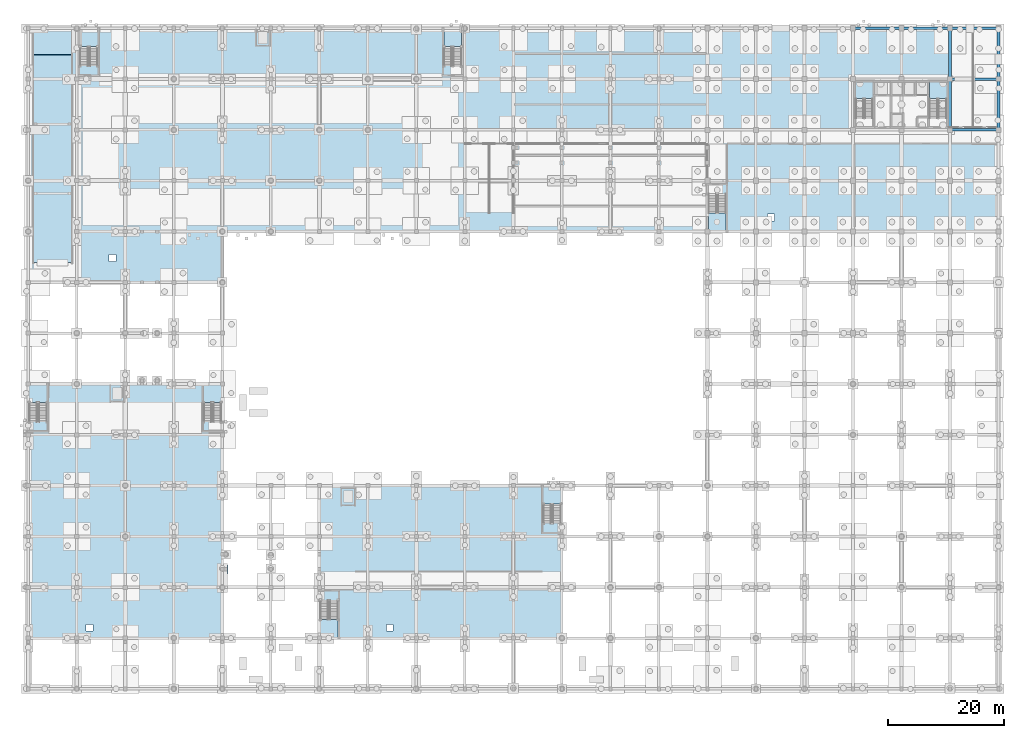
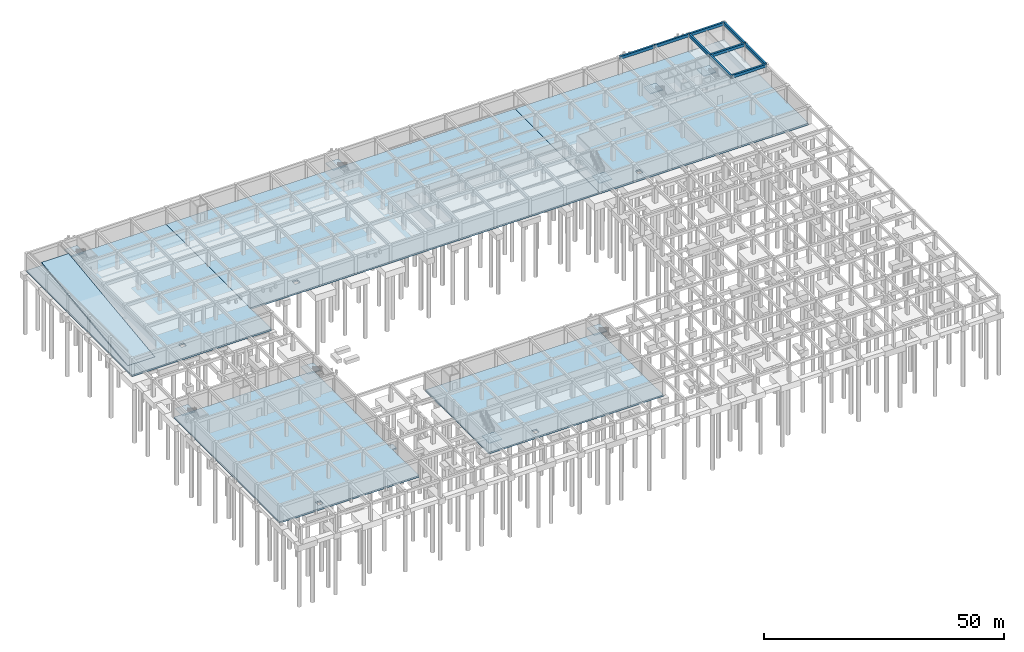
# One storey, part 19 of 41: 15 slabs, 9 beams, 9 elements without a shape of their own.
"""IFC4 building model written with IfcOpenShell, lengths in metres."""

import ifcopenshell
import ifcopenshell.guid

model = None  # the IFC model being written
_history = None  # IfcOwnerHistory: only IFC2X3 demands one
_inside = {}  # id of a spatial element -> (the spatial element, [elements in it])
_under = {}  # id of a project, library or spatial element -> (it, [spatial elements below it])
_declared = {}  # id of a project -> (the project, [libraries it declares])
_typed = {}  # id of a type object -> (the type object, [elements of that type])
_made_of = {}  # id of a material, layer set ... -> (it, [elements and type objects made of it])


def new_model(schema):
    """Start an empty IFC model of exactly this schema.

    Asked for "IFC4X3", IfcOpenShell would pick the latest addendum, in which some entities
    have other attributes; the version numbers below select the first issue.
    IFC2X3 requires an IfcOwnerHistory on every rooted entity: one is made here for all.
    """
    global model, _history
    if schema == "IFC4X3":
        model = ifcopenshell.file(schema_version=(4, 3, 0, 0))
    else:
        model = ifcopenshell.file(schema=schema)
    _inside.clear()
    _under.clear()
    _declared.clear()
    _typed.clear()
    _made_of.clear()
    _history = None
    if model.schema == "IFC2X3":
        org = make("IfcOrganization", Name="unknown")
        user = make(
            "IfcPersonAndOrganization",
            ThePerson=make("IfcPerson", FamilyName="unknown"),
            TheOrganization=org,
        )
        app = make(
            "IfcApplication",
            ApplicationDeveloper=org,
            Version="unknown",
            ApplicationFullName="unknown",
            ApplicationIdentifier="unknown",
        )
        _history = make(
            "IfcOwnerHistory",
            OwningUser=user,
            OwningApplication=app,
            ChangeAction="ADDED",
            CreationDate=0,
        )
    return model


def make(cls, **values):
    """One entity of the class cls with the attributes given. An attribute that is None is left unset."""
    return model.create_entity(
        cls, **{name: value for name, value in values.items() if value is not None}
    )


def rooted(cls, **values):
    """An entity with a GlobalId (a new one), such as an element, a storey or a relation."""
    return make(cls, GlobalId=ifcopenshell.guid.new(), OwnerHistory=_history, **values)


def si_unit(unit_type, name, prefix=None):
    """IfcSIUnit, for example si_unit("LENGTHUNIT", "METRE", prefix="MILLI")."""
    return make("IfcSIUnit", UnitType=unit_type, Prefix=prefix, Name=name)


def assignment(units):
    """IfcUnitAssignment: the units of a project."""
    return None if units is None else make("IfcUnitAssignment", Units=units)


def point(xyz):
    """IfcCartesianPoint."""
    return None if xyz is None else make("IfcCartesianPoint", Coordinates=xyz)


def direction(xyz):
    """IfcDirection."""
    return None if xyz is None else make("IfcDirection", DirectionRatios=xyz)


def frame(location, z_axis=None, x_axis=None):
    """IfcAxis2Placement3D, a coordinate frame: its origin and axes. An axis left out is left unset."""
    return make(
        "IfcAxis2Placement3D",
        Location=point(location),
        Axis=direction(z_axis),
        RefDirection=direction(x_axis),
    )


def frame_2d(location, x_axis=None):
    """IfcAxis2Placement2D, a coordinate frame in the plane: its origin and x axis."""
    return make(
        "IfcAxis2Placement2D", Location=point(location), RefDirection=direction(x_axis)
    )


def origin():
    """The frame at (0, 0, 0) with its axes left unset."""
    return frame((0.0, 0.0, 0.0))


def origin_2d():
    """The frame at (0, 0) in the plane with its x axis left unset."""
    return frame_2d((0.0, 0.0))


def place(relative_to, where):
    """IfcLocalPlacement: puts the frame where relative to a parent placement (None: the world)."""
    return make(
        "IfcLocalPlacement", PlacementRelTo=relative_to, RelativePlacement=where
    )


def context(
    kind, dimensions, precision=None, world=None, true_north=None, identifier=None
):
    """IfcGeometricRepresentationContext, for example the 3D "Model" context."""
    return make(
        "IfcGeometricRepresentationContext",
        ContextIdentifier=identifier,
        ContextType=kind,
        CoordinateSpaceDimension=dimensions,
        Precision=precision,
        WorldCoordinateSystem=world,
        TrueNorth=true_north,
    )


def subcontext(parent, identifier, kind, view, scale=None):
    """IfcGeometricRepresentationSubContext, for example "Body" below "Model"."""
    return make(
        "IfcGeometricRepresentationSubContext",
        ContextIdentifier=identifier,
        ContextType=kind,
        ParentContext=parent,
        TargetScale=scale,
        TargetView=view,
    )


def project(units=None, contexts=None):
    """IfcProject with its units and contexts."""
    return rooted(
        "IfcProject",
        Name="project",
        RepresentationContexts=contexts,
        UnitsInContext=assignment(units),
    )


def spatial(cls, under=None, at=None, **own):
    """A site, building, storey or space (cls), placed at a placement, below another one or the project."""
    s = rooted(cls, ObjectPlacement=at, **own)
    if under is not None:
        _under.setdefault(under.id(), (under, []))[1].append(s)
    return s


def polyline(points):
    """IfcPolyline through the points."""
    return make("IfcPolyline", Points=[point(p) for p in points])


def profile(cls, at=None, kind="AREA", **sizes):
    """A parametric profile (cls). Its sizes go by their IFC names, for example OverallWidth=200.0."""
    return make(cls, ProfileType=kind, Position=at, **sizes)


def rectangle(**sizes):
    """IfcRectangleProfileDef."""
    return profile("IfcRectangleProfileDef", **sizes)


def outline(outer, holes=None, kind="AREA"):
    """IfcArbitraryClosedProfileDef: a profile drawn as a closed curve; with holes, ...WithVoids."""
    if holes is None:
        return make("IfcArbitraryClosedProfileDef", ProfileType=kind, OuterCurve=outer)
    return make(
        "IfcArbitraryProfileDefWithVoids",
        ProfileType=kind,
        OuterCurve=outer,
        InnerCurves=holes,
    )


def extrude(swept, where, along, depth):
    """IfcExtrudedAreaSolid: the profile swept, set in the frame where, extruded along a direction by depth."""
    return make(
        "IfcExtrudedAreaSolid",
        SweptArea=swept,
        Position=where,
        ExtrudedDirection=direction(along),
        Depth=depth,
    )


def shape(context_of_items, identifier, shape_type, items):
    """IfcShapeRepresentation: the items that make up one representation, for example the "Body"."""
    return make(
        "IfcShapeRepresentation",
        ContextOfItems=context_of_items,
        RepresentationIdentifier=identifier,
        RepresentationType=shape_type,
        Items=items,
    )


def material(Name=None, Category=None):
    """IfcMaterial."""
    return make("IfcMaterial", Name=Name, Category=Category)


def layer(
    of_material, thickness, ventilated=None, Name=None, Category=None, Priority=None
):
    """IfcMaterialLayer: one layer of a wall or slab, of a material (None: an air gap)."""
    return make(
        "IfcMaterialLayer",
        Material=of_material,
        LayerThickness=thickness,
        IsVentilated=ventilated,
        Name=Name,
        Category=Category,
        Priority=Priority,
    )


def layer_set(layers, Name=None):
    """IfcMaterialLayerSet."""
    return make("IfcMaterialLayerSet", MaterialLayers=layers, LayerSetName=Name)


def material_profile(
    of_material, cross_section, Name=None, Category=None, Priority=None
):
    """IfcMaterialProfile: a cross section and its material."""
    return make(
        "IfcMaterialProfile",
        Name=Name,
        Material=of_material,
        Profile=cross_section,
        Priority=Priority,
        Category=Category,
    )


def profile_set(profiles, Name=None, composite=None):
    """IfcMaterialProfileSet."""
    return make(
        "IfcMaterialProfileSet",
        Name=Name,
        MaterialProfiles=profiles,
        CompositeProfile=composite,
    )


def made_of(thing, what):
    """Note that an element or type object is made of a material, layer set ...; save() writes the relation."""
    if what is not None:
        _made_of.setdefault(what.id(), (what, []))[1].append(thing)
    return thing


def type_object(cls, material=None, **own):
    """A type object (cls), such as IfcWallType, which elements share."""
    return made_of(rooted(cls, **own), material)


def element(
    cls,
    number,
    at=None,
    inside=None,
    cuts=None,
    type_object=None,
    material=None,
    context=None,
    identifier="Body",
    shape_type=None,
    held_by="IfcProductDefinitionShape",
    body=None,
    shapes=None,
    **own,
):
    """One element of the class cls, such as IfcWall. Its Tag is "e" and its number.

    at: its placement. inside: the storey or other place that contains it. cuts: it is an
    opening in that element (IfcRelVoidsElement). A single representation is given by context,
    identifier, shape_type and body (its items); several are given by shapes. held_by: the class
    of the entity that holds the representations. save() writes the other relations.
    """
    e = rooted(cls, Tag="e%d" % number, ObjectPlacement=at, **own)
    if body is not None:
        shapes = [shape(context, identifier, shape_type, body)]
    if shapes is not None:
        e.Representation = make(held_by, Representations=shapes)
    if inside is not None:
        _inside.setdefault(inside.id(), (inside, []))[1].append(e)
    if cuts is not None:
        rooted(
            "IfcRelVoidsElement", RelatingBuildingElement=cuts, RelatedOpeningElement=e
        )
    if type_object is not None:
        _typed.setdefault(type_object.id(), (type_object, []))[1].append(e)
    return made_of(e, material)


def aggregate(whole, parts):
    """IfcRelAggregates: a whole, such as a stair, and the parts it consists of."""
    return rooted("IfcRelAggregates", RelatingObject=whole, RelatedObjects=parts)


def save(model, path):
    """Write the relations noted so far, then the file.

    IfcRelAggregates (storeys below a building ...), IfcRelContainedInSpatialStructure (elements
    in a storey), IfcRelDefinesByType, IfcRelAssociatesMaterial and IfcRelDeclares: one each for
    every whole, place, type object, material and project.
    """
    for whole, parts in _under.values():
        aggregate(whole, parts)
    for where, things in _inside.values():
        rooted(
            "IfcRelContainedInSpatialStructure",
            RelatedElements=things,
            RelatingStructure=where,
        )
    for kind, things in _typed.values():
        rooted("IfcRelDefinesByType", RelatedObjects=things, RelatingType=kind)
    for what, things in _made_of.values():
        rooted("IfcRelAssociatesMaterial", RelatedObjects=things, RelatingMaterial=what)
    for by, libraries in _declared.values():
        rooted("IfcRelDeclares", RelatingContext=by, RelatedDefinitions=libraries)
    model.write(path)


model = new_model("IFC4")

# Units and contexts
model_context = context("Model", 3, precision=1e-05, world=origin(), true_north=direction((0.0, 1.0)))
body_context = subcontext(model_context, "Body", "Model", "MODEL_VIEW")
ifc_project = project(units=[si_unit("LENGTHUNIT", "METRE"), si_unit("AREAUNIT", "SQUARE_METRE"), si_unit("VOLUMEUNIT", "CUBIC_METRE"), si_unit("PLANEANGLEUNIT", "RADIAN"), si_unit("MASSUNIT", "GRAM", prefix="KILO")], contexts=[model_context])

# Site, building, storey
site_placement = place(None, origin())
site = spatial("IfcSite", under=ifc_project, at=site_placement, CompositionType="ELEMENT")
building_placement = place(site_placement, origin())
building = spatial("IfcBuilding", under=site, at=building_placement, Name="Kemercrest Conservatory and Botanical Centre", CompositionType="ELEMENT")
storey_placement = place(building_placement, frame((0.0, 0.0, -4.5)))
storey = spatial("IfcBuildingStorey", under=building, at=storey_placement, Name="B1", CompositionType="ELEMENT", Elevation=-4.5)

# Beams
ifc_material_1 = material(Name="Concrete C40/50", Category="concrete")
ifc_material_profile = material_profile(ifc_material_1, rectangle(XDim=0.449951171875, YDim=0.75, at=origin_2d()), Name="RC 450x750")
ifc_profile_set = profile_set([ifc_material_profile], Name="Concrete C40/50")
beam_type = type_object("IfcBeamType", Name="BM-RC75", PredefinedType="BEAM", material=ifc_profile_set)
for number, where, z_axis, x_axis, name in (
    (1, (167.60009765625, 104.800048828125, 4.125), (1.0, 0.0, 0.0), (0.0, 1.0, 0.0), "B1 girder 20-21 on M"),
    (2, (167.60009765625, 113.60009765625, 4.125), (1.0, 0.0, 0.0), (0.0, 1.0, 0.0), "B1 girder 20-21 on N"),
    (3, (150.800048828125, 122.39990234375, 4.125), (1.0, 0.0, 0.0), (0.0, 1.0, 0.0), "B1 girder 18-19 on P"),
):
    element("IfcBeam", number, at=place(storey_placement, frame(where, z_axis=z_axis, x_axis=x_axis)), inside=storey, type_object=beam_type, Name=name, PredefinedType="BEAM", context=body_context, shape_type="SweptSolid", body=[
        extrude(rectangle(XDim=0.449951171875, YDim=0.75, at=origin_2d()), origin(), (0.0, 0.0, 1.0), 8.39990234375),
    ])
beam_1_placement = place(storey_placement, frame((159.199951171875, 122.39990234375, 4.125), z_axis=(1.0, 0.0, 0.0), x_axis=(0.0, 1.0, 0.0)))
element("IfcBeam", 4, at=beam_1_placement, inside=storey, type_object=beam_type, Name="B1 girder 19-20 on P", PredefinedType="BEAM", context=body_context, shape_type="SweptSolid", body=[
    extrude(rectangle(XDim=0.449951171875, YDim=0.75, at=origin_2d()), origin(), (0.0, 0.0, 1.0), 8.400146484375),
])
beam_2_placement = place(storey_placement, frame((167.60009765625, 122.39990234375, 4.125), z_axis=(1.0, 0.0, 0.0), x_axis=(0.0, 1.0, 0.0)))
element("IfcBeam", 5, at=beam_2_placement, inside=storey, type_object=beam_type, Name="B1 girder 20-21 on P", PredefinedType="BEAM", context=body_context, shape_type="SweptSolid", body=[
    extrude(rectangle(XDim=0.449951171875, YDim=0.75, at=origin_2d()), origin(), (0.0, 0.0, 1.0), 8.39990234375),
])
beam_3_placement = place(storey_placement, frame((167.60009765625, 104.800048828125, 4.125), z_axis=(0.0, 1.0, 0.0), x_axis=(-1.0, 0.0, 0.0)))
element("IfcBeam", 6, at=beam_3_placement, inside=storey, type_object=beam_type, Name="B1 girder M-N on 20", PredefinedType="BEAM", context=body_context, shape_type="SweptSolid", body=[
    extrude(rectangle(XDim=0.449951171875, YDim=0.75, at=origin_2d()), origin(), (0.0, 0.0, 1.0), 8.800048828125),
])
beam_4_placement = place(storey_placement, frame((167.60009765625, 113.60009765625, 4.125), z_axis=(0.0, 1.0, 0.0), x_axis=(-1.0, 0.0, 0.0)))
element("IfcBeam", 7, at=beam_4_placement, inside=storey, type_object=beam_type, Name="B1 girder N-P on 20", PredefinedType="BEAM", context=body_context, shape_type="SweptSolid", body=[
    extrude(rectangle(XDim=0.449951171875, YDim=0.75, at=origin_2d()), origin(), (0.0, 0.0, 1.0), 8.7998046875),
])
beam_5_placement = place(storey_placement, frame((176.0, 104.800048828125, 4.125), z_axis=(0.0, 1.0, 0.0), x_axis=(-1.0, 0.0, 0.0)))
element("IfcBeam", 8, at=beam_5_placement, inside=storey, type_object=beam_type, Name="B1 girder M-N on 21", PredefinedType="BEAM", context=body_context, shape_type="SweptSolid", body=[
    extrude(rectangle(XDim=0.449951171875, YDim=0.75, at=origin_2d()), origin(), (0.0, 0.0, 1.0), 8.800048828125),
])
beam_6_placement = place(storey_placement, frame((176.0, 113.60009765625, 4.125), z_axis=(0.0, 1.0, 0.0), x_axis=(-1.0, 0.0, 0.0)))
element("IfcBeam", 9, at=beam_6_placement, inside=storey, type_object=beam_type, Name="B1 girder N-P on 21", PredefinedType="BEAM", context=body_context, shape_type="SweptSolid", body=[
    extrude(rectangle(XDim=0.449951171875, YDim=0.75, at=origin_2d()), origin(), (0.0, 0.0, 1.0), 8.7998046875),
])

# Slabs
ifc_layer_1 = layer(ifc_material_1, 0.409912109375)
ifc_layer_set_1 = layer_set([ifc_layer_1], Name="Concrete C40/50")
slab_type_1 = type_object("IfcSlabType", Name="SL-BS400", PredefinedType="BASESLAB", material=ifc_layer_set_1)
slab_1_placement = place(storey_placement, frame((0.0, 0.0, -0.409912109375)))
element("IfcSlab", 10, at=slab_1_placement, inside=storey, type_object=slab_type_1, Name="Basement B1 structural base slab WEST-V1", PredefinedType="BASESLAB", context=body_context, shape_type="SweptSolid", body=[
    extrude(outline(polyline([(8.0, 16.800048828125), (41.60009765625, 16.800048828125), (41.60009765625, 27.89990234375), (42.60009765625, 27.89990234375), (42.60009765625, 29.5), (41.60009765625, 29.5), (41.60009765625, 60.800048828125), (8.0, 60.800048828125), (8.0, 16.800048828125)]), holes=[polyline([(18.0, 18.0), (19.199951171875, 18.0), (19.199951171875, 19.199951171875), (18.0, 19.199951171875), (18.0, 18.0)])]), origin(), (0.0, 0.0, 1.0), 0.409912109375),
])
slab_2_placement = place(storey_placement, frame((0.0, 0.0, -0.409912109375)))
element("IfcSlab", 11, at=slab_2_placement, inside=storey, type_object=slab_type_1, Name="Basement B1 structural base slab WEST-RMP", PredefinedType="BASESLAB", context=body_context, shape_type="SweptSolid", body=[
    extrude(outline(polyline([(8.0, 78.39990234375), (41.60009765625, 78.39990234375), (41.60009765625, 122.39990234375), (8.0, 122.39990234375), (8.0, 78.39990234375)]), holes=[polyline([(22.0, 82.0), (23.199951171875, 82.0), (23.199951171875, 83.199951171875), (22.0, 83.199951171875), (22.0, 82.0)]), polyline([(8.949951171875, 81.800048828125), (15.449951171875, 81.800048828125), (15.449951171875, 84.300048828125), (8.949951171875, 84.300048828125), (8.949951171875, 81.800048828125)])]), origin(), (0.0, 0.0, 1.0), 0.409912109375),
])
slab_3_placement = place(storey_placement, frame((0.0, 0.0, -0.409912109375)))
element("IfcSlab", 12, at=slab_3_placement, inside=storey, type_object=slab_type_1, Name="Basement B1 structural base slab SOUTH-V2", PredefinedType="BASESLAB", context=body_context, shape_type="SweptSolid", body=[
    extrude(outline(polyline([(58.39990234375, 16.800048828125), (100.39990234375, 16.800048828125), (100.39990234375, 43.199951171875), (58.39990234375, 43.199951171875), (58.39990234375, 16.800048828125)]), holes=[polyline([(70.0, 18.0), (71.199951171875, 18.0), (71.199951171875, 19.199951171875), (70.0, 19.199951171875), (70.0, 18.0)])]), origin(), (0.0, 0.0, 1.0), 0.409912109375),
])
slab_4_placement = place(storey_placement, frame((0.0, 0.0, -0.409912109375)))
element("IfcSlab", 13, at=slab_4_placement, inside=storey, type_object=slab_type_1, Name="Basement B1 structural base slab NORTH-V3", PredefinedType="BASESLAB", context=body_context, shape_type="SweptSolid", body=[
    extrude(outline(polyline([(41.60009765625, 87.199951171875), (125.60009765625, 87.199951171875), (125.60009765625, 122.39990234375), (41.60009765625, 122.39990234375), (41.60009765625, 87.199951171875)]), holes=[polyline([(54.0, 90.0), (55.199951171875, 90.0), (55.199951171875, 91.199951171875), (54.0, 91.199951171875), (54.0, 90.0)])]), origin(), (0.0, 0.0, 1.0), 0.409912109375),
])
ifc_material_2 = material(Name="Concrete C50/60", Category="concrete")
ifc_layer_2 = layer(ifc_material_2, 0.449951171875)
ifc_layer_set_2 = layer_set([ifc_layer_2], Name="Concrete C50/60")
slab_type_2 = type_object("IfcSlabType", Name="SL-BS450", PredefinedType="BASESLAB", material=ifc_layer_set_2)
slab_5_placement = place(storey_placement, frame((0.0, 0.0, -0.449951171875)))
element("IfcSlab", 14, at=slab_5_placement, inside=storey, type_object=slab_type_2, Name="Basement B1 structural base slab TOWER-V4", PredefinedType="BASESLAB", context=body_context, shape_type="SweptSolid", body=[
    extrude(outline(polyline([(125.60009765625, 87.199951171875), (176.0, 87.199951171875), (176.0, 122.39990234375), (125.60009765625, 122.39990234375), (125.60009765625, 87.199951171875)]), holes=[polyline([(136.0, 89.0), (137.199951171875, 89.0), (137.199951171875, 90.199951171875), (136.0, 90.199951171875), (136.0, 89.0)])]), origin(), (0.0, 0.0, 1.0), 0.449951171875),
])

# Stair, slab
stair_type_1 = type_object("IfcStairType", Name="ST-140-45", PredefinedType="HALF_TURN_STAIR", material=ifc_material_1)
stair_1_placement = place(storey_placement, origin())
stair_1 = element("IfcStair", 15, at=stair_1_placement, inside=storey, type_object=stair_type_1, Name="B1 Exit stair ST-V1A", PredefinedType="HALF_TURN_STAIR")
ifc_layer_3 = layer(ifc_material_1, 0.199951171875)
ifc_layer_set_3 = layer_set([ifc_layer_3], Name="Concrete C40/50")
slab_type_3 = type_object("IfcSlabType", Name="SL-LND200", PredefinedType="LANDING", material=ifc_layer_set_3)
slab_6_placement = place(storey_placement, frame((0.0, 0.0, 2.050048828125)))
slab_6 = element("IfcSlab", 16, at=slab_6_placement, type_object=slab_type_3, Name="ST-V1A landing 1", PredefinedType="LANDING", context=body_context, shape_type="SweptSolid", body=[
    extrude(outline(polyline([(11.239990234375, 57.60009765625), (11.239990234375, 60.659912109375), (8.159912109375, 60.659912109375), (8.159912109375, 57.60009765625), (11.239990234375, 57.60009765625)])), origin(), (0.0, 0.0, 1.0), 0.199951171875),
])
aggregate(stair_1, [slab_6])

stair_2_placement = place(storey_placement, origin())
stair_2 = element("IfcStair", 17, at=stair_2_placement, inside=storey, type_object=stair_type_1, Name="B1 Exit stair ST-V1B", PredefinedType="HALF_TURN_STAIR")
slab_7_placement = place(storey_placement, frame((0.0, 0.0, 2.050048828125)))
slab_7 = element("IfcSlab", 18, at=slab_7_placement, type_object=slab_type_3, Name="ST-V1B landing 1", PredefinedType="LANDING", context=body_context, shape_type="SweptSolid", body=[
    extrude(outline(polyline([(41.43994140625, 57.60009765625), (41.43994140625, 60.659912109375), (38.360107421875, 60.659912109375), (38.360107421875, 57.60009765625), (41.43994140625, 57.60009765625)])), origin(), (0.0, 0.0, 1.0), 0.199951171875),
])
aggregate(stair_2, [slab_7])

stair_3_placement = place(storey_placement, origin())
stair_3 = element("IfcStair", 19, at=stair_3_placement, inside=storey, type_object=stair_type_1, Name="B1 Exit stair ST-V2A", PredefinedType="HALF_TURN_STAIR")
slab_8_placement = place(storey_placement, frame((0.0, 0.0, 2.050048828125)))
slab_8 = element("IfcSlab", 20, at=slab_8_placement, type_object=slab_type_3, Name="ST-V2A landing 1", PredefinedType="LANDING", context=body_context, shape_type="SweptSolid", body=[
    extrude(outline(polyline([(58.56005859375, 20.0), (58.56005859375, 16.93994140625), (61.639892578125, 16.93994140625), (61.639892578125, 20.0), (58.56005859375, 20.0)])), origin(), (0.0, 0.0, 1.0), 0.199951171875),
])
aggregate(stair_3, [slab_8])

stair_4_placement = place(storey_placement, origin())
stair_4 = element("IfcStair", 21, at=stair_4_placement, inside=storey, type_object=stair_type_1, Name="B1 Exit stair ST-V2B", PredefinedType="HALF_TURN_STAIR")
slab_9_placement = place(storey_placement, frame((0.0, 0.0, 2.050048828125)))
slab_9 = element("IfcSlab", 22, at=slab_9_placement, type_object=slab_type_3, Name="ST-V2B landing 1", PredefinedType="LANDING", context=body_context, shape_type="SweptSolid", body=[
    extrude(outline(polyline([(100.239990234375, 40.0), (100.239990234375, 43.06005859375), (97.159912109375, 43.06005859375), (97.159912109375, 40.0), (100.239990234375, 40.0)])), origin(), (0.0, 0.0, 1.0), 0.199951171875),
])
aggregate(stair_4, [slab_9])

stair_5_placement = place(storey_placement, origin())
stair_5 = element("IfcStair", 23, at=stair_5_placement, inside=storey, type_object=stair_type_1, Name="B1 Exit stair ST-V3A", PredefinedType="HALF_TURN_STAIR")
slab_10_placement = place(storey_placement, frame((0.0, 0.0, 2.050048828125)))
slab_10 = element("IfcSlab", 24, at=slab_10_placement, type_object=slab_type_3, Name="ST-V3A landing 1", PredefinedType="LANDING", context=body_context, shape_type="SweptSolid", body=[
    extrude(outline(polyline([(20.0400390625, 119.199951171875), (20.0400390625, 122.260009765625), (16.9599609375, 122.260009765625), (16.9599609375, 119.199951171875), (20.0400390625, 119.199951171875)])), origin(), (0.0, 0.0, 1.0), 0.199951171875),
])
aggregate(stair_5, [slab_10])

stair_6_placement = place(storey_placement, origin())
stair_6 = element("IfcStair", 25, at=stair_6_placement, inside=storey, type_object=stair_type_1, Name="B1 Exit stair ST-V3B", PredefinedType="HALF_TURN_STAIR")
slab_11_placement = place(storey_placement, frame((0.0, 0.0, 2.050048828125)))
slab_11 = element("IfcSlab", 26, at=slab_11_placement, type_object=slab_type_3, Name="ST-V3B landing 1", PredefinedType="LANDING", context=body_context, shape_type="SweptSolid", body=[
    extrude(outline(polyline([(83.0400390625, 119.199951171875), (83.0400390625, 122.260009765625), (79.9599609375, 122.260009765625), (79.9599609375, 119.199951171875), (83.0400390625, 119.199951171875)])), origin(), (0.0, 0.0, 1.0), 0.199951171875),
])
aggregate(stair_6, [slab_11])

stair_type_2 = type_object("IfcStairType", Name="ST-142-45", PredefinedType="HALF_TURN_STAIR", material=ifc_material_1)
stair_7_placement = place(storey_placement, origin())
stair_7 = element("IfcStair", 27, at=stair_7_placement, inside=storey, type_object=stair_type_2, Name="B1 Exit stair ST-V4A", PredefinedType="HALF_TURN_STAIR")
slab_12_placement = place(storey_placement, frame((0.0, 0.0, 2.050048828125)))
slab_12 = element("IfcSlab", 28, at=slab_12_placement, type_object=slab_type_3, Name="ST-V4A landing 1", PredefinedType="LANDING", context=body_context, shape_type="SweptSolid", body=[
    extrude(outline(polyline([(154.239990234375, 110.199951171875), (154.239990234375, 113.06005859375), (151.260009765625, 113.06005859375), (151.260009765625, 110.199951171875), (154.239990234375, 110.199951171875)])), origin(), (0.0, 0.0, 1.0), 0.199951171875),
])
aggregate(stair_7, [slab_12])

stair_8_placement = place(storey_placement, origin())
stair_8 = element("IfcStair", 29, at=stair_8_placement, inside=storey, type_object=stair_type_2, Name="B1 Exit stair ST-V4B", PredefinedType="HALF_TURN_STAIR")
slab_13_placement = place(storey_placement, frame((0.0, 0.0, 2.050048828125)))
slab_13 = element("IfcSlab", 30, at=slab_13_placement, type_object=slab_type_3, Name="ST-V4B landing 1", PredefinedType="LANDING", context=body_context, shape_type="SweptSolid", body=[
    extrude(outline(polyline([(167.0400390625, 110.199951171875), (167.0400390625, 113.06005859375), (164.06005859375, 113.06005859375), (164.06005859375, 110.199951171875), (167.0400390625, 110.199951171875)])), origin(), (0.0, 0.0, 1.0), 0.199951171875),
])
aggregate(stair_8, [slab_13])

stair_9_placement = place(storey_placement, origin())
stair_9 = element("IfcStair", 31, at=stair_9_placement, inside=storey, type_object=stair_type_1, Name="B1 Exit stair ST-V4C", PredefinedType="HALF_TURN_STAIR")
slab_14_placement = place(storey_placement, frame((0.0, 0.0, 2.050048828125)))
slab_14 = element("IfcSlab", 32, at=slab_14_placement, type_object=slab_type_3, Name="ST-V4C landing 1", PredefinedType="LANDING", context=body_context, shape_type="SweptSolid", body=[
    extrude(outline(polyline([(125.760009765625, 90.39990234375), (125.760009765625, 87.340087890625), (128.840087890625, 87.340087890625), (128.840087890625, 90.39990234375), (125.760009765625, 90.39990234375)])), origin(), (0.0, 0.0, 1.0), 0.199951171875),
])
aggregate(stair_9, [slab_14])

# Slab
ifc_layer_4 = layer(ifc_material_1, 0.300048828125)
ifc_layer_set_4 = layer_set([ifc_layer_4], Name="Concrete C40/50")
slab_type_4 = type_object("IfcSlabType", Name="SL-VR300", PredefinedType="FLOOR", material=ifc_layer_set_4)
slab_15_placement = place(storey_placement, frame((8.949951171875, 81.800048828125, 0.0), z_axis=(0.0, -0.124034734589, 0.992277876714), x_axis=(1.0, 0.0, 0.0)))
element("IfcSlab", 33, at=slab_15_placement, inside=storey, type_object=slab_type_4, Name="Car Park Structural Vehicle Ramp R1 Slab", PredefinedType="FLOOR", context=body_context, shape_type="SweptSolid", body=[
    extrude(outline(polyline([(0.0, 0.0), (6.5, 0.0), (6.5, 36.28015986734347), (0.0, 36.28015986734347), (0.0, 0.0)])), origin(), (0.0, 0.0, -1.0), 0.300048828125),
])

save(model, "model.ifc")
